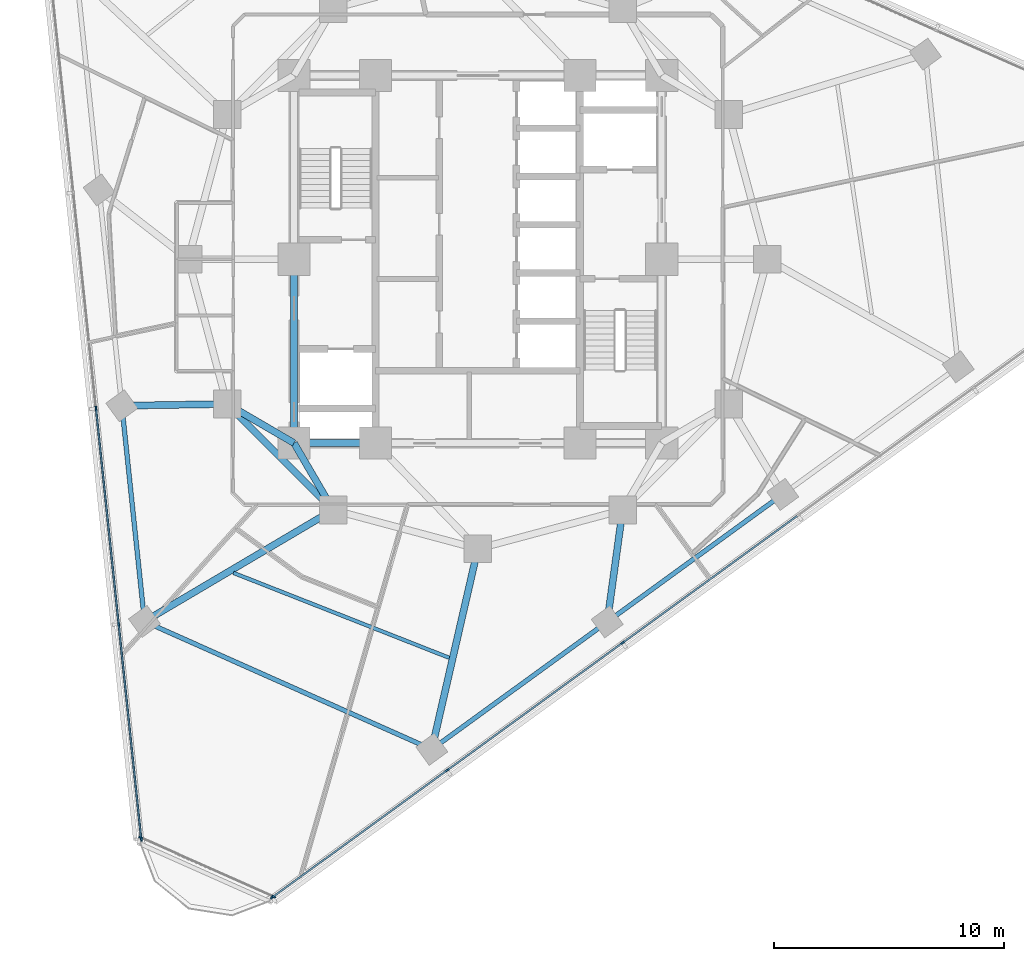
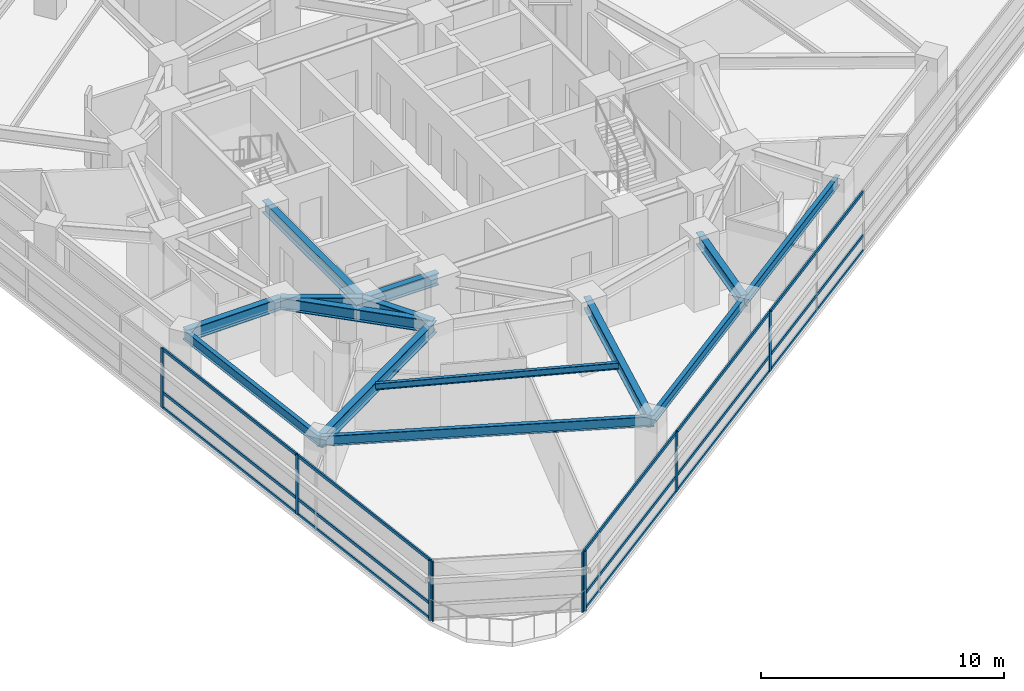
# One storey, part 2 of 14: 23 members, 14 beams, 3 elements without a shape of their own.
"""IFC4 building model written with IfcOpenShell, lengths in metres."""

from ifc_helpers import new_model, si_unit, direction, frame, origin, origin_2d, place, context, subcontext, project, spatial, rectangle, i_section, extrude, material, layer, layer_set, material_profile, profile_set, type_object, element, aggregate, save


model = new_model("IFC4")

# Units and contexts
model_context = context("Model", 3, precision=1e-05, world=origin(), true_north=direction((0.0, 1.0)))
body_context = subcontext(model_context, "Body", "Model", "MODEL_VIEW")
ifc_project = project(units=[si_unit("LENGTHUNIT", "METRE"), si_unit("AREAUNIT", "SQUARE_METRE"), si_unit("VOLUMEUNIT", "CUBIC_METRE"), si_unit("PLANEANGLEUNIT", "RADIAN"), si_unit("MASSUNIT", "GRAM", prefix="KILO")], contexts=[model_context])

# Site, building, storey
site_placement = place(None, origin())
site = spatial("IfcSite", under=ifc_project, at=site_placement, CompositionType="ELEMENT")
building_placement = place(site_placement, origin())
building = spatial("IfcBuilding", under=site, at=building_placement, Name="Terralouvre Media Tower", CompositionType="ELEMENT")
storey_placement = place(building_placement, frame((0.0, 0.0, 165.699951171875)))
storey = spatial("IfcBuildingStorey", under=building, at=storey_placement, Name="L42", CompositionType="ELEMENT", Elevation=165.699951171875)

# Beam
ifc_material_1 = material(Name="Structural steel S355J2", Category="steel")
ifc_material_profile_1 = material_profile(ifc_material_1, i_section(OverallWidth=0.159912109375, OverallDepth=0.330078125, WebThickness=0.007568359375, FlangeThickness=0.011474609375, at=origin_2d()), Name="IPE 330")
ifc_profile_set_1 = profile_set([ifc_material_profile_1], Name="Structural steel S355J2")
beam_type_1 = type_object("IfcBeamType", Name="Composite Floor Joist J-IPE330 (IPE 330)", PredefinedType="JOIST", material=ifc_profile_set_1)
beam_1_placement = place(storey_placement, frame((-10.638916015625, -13.648681640625, 3.3349609375), z_axis=(0.93055150024, -0.366161037525, 0.0), x_axis=(0.366161037525, 0.93055150024, 0.0)))
element("IfcBeam", 1, at=beam_1_placement, inside=storey, type_object=beam_type_1, Name="L42 Framing Beam JT-L42-01", PredefinedType="JOIST", context=body_context, shape_type="SweptSolid", body=[
    extrude(i_section(OverallWidth=0.159912109375, OverallDepth=0.330078125, WebThickness=0.007568359375, FlangeThickness=0.011474609375, at=origin_2d()), origin(), (0.0, 0.0, 1.0), 10.0966796875),
])

# Curtain wall, members
ifc_material_2 = material(Name="Low-iron laminated double glazing with solar-control coating", Category="glass")
ifc_layer_1 = layer(ifc_material_2, 0.1650390625, Name="Production Studio Tower Curtain Wall CW-03")
ifc_layer_set_1 = layer_set([ifc_layer_1], Name="Low-iron laminated double glazing with solar-control coating")
curtain_wall_type_1 = type_object("IfcCurtainWallType", Name="Production Studio Tower Curtain Wall CW-03", PredefinedType="NOTDEFINED", material=ifc_layer_set_1)
curtain_wall_1_placement = place(storey_placement, origin())
curtain_wall_1 = element("IfcCurtainWall", 2, at=curtain_wall_1_placement, inside=storey, type_object=curtain_wall_type_1, Name="L42 Facade Curtain Wall F0", PredefinedType="NOTDEFINED")
ifc_material_3 = material(Name="Anodised extruded aluminium 6063-T6", Category="aluminium")
ifc_material_profile_2 = material_profile(ifc_material_3, rectangle(XDim=0.074951171875, YDim=0.14990234375, at=origin_2d()), Name="ALU 75x150")
ifc_profile_set_2 = profile_set([ifc_material_profile_2], Name="Anodised extruded aluminium 6063-T6")
member_type_1 = type_object("IfcMemberType", Name="Curtain-Wall Horizontal Transom TR-150", PredefinedType="USERDEFINED", material=ifc_profile_set_2)
member_1_placement = place(storey_placement, frame((-8.9189453125, -27.7470703125, 0.03759765625), z_axis=(0.809025744282, 0.58777320889, 0.0), x_axis=(-0.58777320889, 0.809025744282, 0.0)))
member_1 = element("IfcMember", 3, at=member_1_placement, type_object=member_type_1, Name="CW-03 transom 1.1", ObjectType="TRANSOM", PredefinedType="USERDEFINED", context=body_context, shape_type="SweptSolid", body=[
    extrude(rectangle(XDim=0.074951171875, YDim=0.14990234375, at=origin_2d()), origin(), (0.0, 0.0, 1.0), 9.327392578125),
])
member_2_placement = place(storey_placement, frame((-8.9189453125, -27.7470703125, 0.800048828125), z_axis=(0.809025744282, 0.58777320889, 0.0), x_axis=(-0.58777320889, 0.809025744282, 0.0)))
member_2 = element("IfcMember", 4, at=member_2_placement, type_object=member_type_1, Name="CW-03 transom 1.2", ObjectType="TRANSOM", PredefinedType="USERDEFINED", context=body_context, shape_type="SweptSolid", body=[
    extrude(rectangle(XDim=0.074951171875, YDim=0.14990234375, at=origin_2d()), origin(), (0.0, 0.0, 1.0), 9.327392578125),
])
member_3_placement = place(storey_placement, frame((-8.9189453125, -27.7470703125, 2.962646484375), z_axis=(0.809025744282, 0.58777320889, 0.0), x_axis=(-0.58777320889, 0.809025744282, 0.0)))
member_3 = element("IfcMember", 5, at=member_3_placement, type_object=member_type_1, Name="CW-03 transom 1.3", ObjectType="TRANSOM", PredefinedType="USERDEFINED", context=body_context, shape_type="SweptSolid", body=[
    extrude(rectangle(XDim=0.074951171875, YDim=0.14990234375, at=origin_2d()), origin(), (0.0, 0.0, 1.0), 9.327392578125),
])
member_4_placement = place(storey_placement, frame((-1.312255859375, -22.220458984375, 0.03759765625), z_axis=(0.809014443998, 0.587788762569, 0.0), x_axis=(-0.587788762569, 0.809014443998, 0.0)))
member_4 = element("IfcMember", 6, at=member_4_placement, type_object=member_type_1, Name="CW-03 transom 2.1", ObjectType="TRANSOM", PredefinedType="USERDEFINED", context=body_context, shape_type="SweptSolid", body=[
    extrude(rectangle(XDim=0.074951171875, YDim=0.14990234375, at=origin_2d()), origin(), (0.0, 0.0, 1.0), 9.364990234375),
])
member_5_placement = place(storey_placement, frame((-1.312255859375, -22.220458984375, 0.800048828125), z_axis=(0.809014443998, 0.587788762569, 0.0), x_axis=(-0.587788762569, 0.809014443998, 0.0)))
member_5 = element("IfcMember", 7, at=member_5_placement, type_object=member_type_1, Name="CW-03 transom 2.2", ObjectType="TRANSOM", PredefinedType="USERDEFINED", context=body_context, shape_type="SweptSolid", body=[
    extrude(rectangle(XDim=0.074951171875, YDim=0.14990234375, at=origin_2d()), origin(), (0.0, 0.0, 1.0), 9.364990234375),
])
member_6_placement = place(storey_placement, frame((-1.312255859375, -22.220458984375, 2.962646484375), z_axis=(0.809014443998, 0.587788762569, 0.0), x_axis=(-0.587788762569, 0.809014443998, 0.0)))
member_6 = element("IfcMember", 8, at=member_6_placement, type_object=member_type_1, Name="CW-03 transom 2.3", ObjectType="TRANSOM", PredefinedType="USERDEFINED", context=body_context, shape_type="SweptSolid", body=[
    extrude(rectangle(XDim=0.074951171875, YDim=0.14990234375, at=origin_2d()), origin(), (0.0, 0.0, 1.0), 9.364990234375),
])
member_7_placement = place(storey_placement, frame((6.324951171875, -16.671875, 0.03759765625), z_axis=(0.809014443998, 0.587788762569, 0.0), x_axis=(-0.587788762569, 0.809014443998, 0.0)))
member_7 = element("IfcMember", 9, at=member_7_placement, type_object=member_type_1, Name="CW-03 transom 3.1", ObjectType="TRANSOM", PredefinedType="USERDEFINED", context=body_context, shape_type="SweptSolid", body=[
    extrude(rectangle(XDim=0.074951171875, YDim=0.14990234375, at=origin_2d()), origin(), (0.0, 0.0, 1.0), 9.364990234375),
])
member_8_placement = place(storey_placement, frame((6.324951171875, -16.671875, 0.800048828125), z_axis=(0.809014443998, 0.587788762569, 0.0), x_axis=(-0.587788762569, 0.809014443998, 0.0)))
member_8 = element("IfcMember", 10, at=member_8_placement, type_object=member_type_1, Name="CW-03 transom 3.2", ObjectType="TRANSOM", PredefinedType="USERDEFINED", context=body_context, shape_type="SweptSolid", body=[
    extrude(rectangle(XDim=0.074951171875, YDim=0.14990234375, at=origin_2d()), origin(), (0.0, 0.0, 1.0), 9.364990234375),
])
member_9_placement = place(storey_placement, frame((6.324951171875, -16.671875, 2.962646484375), z_axis=(0.809014443998, 0.587788762569, 0.0), x_axis=(-0.587788762569, 0.809014443998, 0.0)))
member_9 = element("IfcMember", 11, at=member_9_placement, type_object=member_type_1, Name="CW-03 transom 3.3", ObjectType="TRANSOM", PredefinedType="USERDEFINED", context=body_context, shape_type="SweptSolid", body=[
    extrude(rectangle(XDim=0.074951171875, YDim=0.14990234375, at=origin_2d()), origin(), (0.0, 0.0, 1.0), 9.364990234375),
])

curtain_wall_2_placement = place(storey_placement, origin())
curtain_wall_2 = element("IfcCurtainWall", 12, at=curtain_wall_2_placement, inside=storey, type_object=curtain_wall_type_1, Name="L42 Facade Curtain Wall F2", PredefinedType="NOTDEFINED")
member_10_placement = place(storey_placement, frame((-16.614013671875, -6.52978515625, 0.03759765625), z_axis=(0.104538223456, -0.994520869483, 0.0), x_axis=(0.994520869483, 0.104538223456, 0.0)))
member_10 = element("IfcMember", 13, at=member_10_placement, type_object=member_type_1, Name="CW-03 transom 4.1", ObjectType="TRANSOM", PredefinedType="USERDEFINED", context=body_context, shape_type="SweptSolid", body=[
    extrude(rectangle(XDim=0.074951171875, YDim=0.14990234375, at=origin_2d()), origin(), (0.0, 0.0, 1.0), 9.364990234375),
])
member_11_placement = place(storey_placement, frame((-16.614013671875, -6.52978515625, 0.800048828125), z_axis=(0.104538223456, -0.994520869483, 0.0), x_axis=(0.994520869483, 0.104538223456, 0.0)))
member_11 = element("IfcMember", 14, at=member_11_placement, type_object=member_type_1, Name="CW-03 transom 4.2", ObjectType="TRANSOM", PredefinedType="USERDEFINED", context=body_context, shape_type="SweptSolid", body=[
    extrude(rectangle(XDim=0.074951171875, YDim=0.14990234375, at=origin_2d()), origin(), (0.0, 0.0, 1.0), 9.364990234375),
])
member_12_placement = place(storey_placement, frame((-16.614013671875, -6.52978515625, 2.962646484375), z_axis=(0.104538223456, -0.994520869483, 0.0), x_axis=(0.994520869483, 0.104538223456, 0.0)))
member_12 = element("IfcMember", 15, at=member_12_placement, type_object=member_type_1, Name="CW-03 transom 4.3", ObjectType="TRANSOM", PredefinedType="USERDEFINED", context=body_context, shape_type="SweptSolid", body=[
    extrude(rectangle(XDim=0.074951171875, YDim=0.14990234375, at=origin_2d()), origin(), (0.0, 0.0, 1.0), 9.364990234375),
])
member_13_placement = place(storey_placement, frame((-15.627197265625, -15.918212890625, 0.03759765625), z_axis=(0.104540358364, -0.994520645071, 0.0), x_axis=(0.994520645071, 0.104540358364, 0.0)))
member_13 = element("IfcMember", 16, at=member_13_placement, type_object=member_type_1, Name="CW-03 transom 5.1", ObjectType="TRANSOM", PredefinedType="USERDEFINED", context=body_context, shape_type="SweptSolid", body=[
    extrude(rectangle(XDim=0.074951171875, YDim=0.14990234375, at=origin_2d()), origin(), (0.0, 0.0, 1.0), 9.327392578125),
])
member_14_placement = place(storey_placement, frame((-15.627197265625, -15.918212890625, 0.800048828125), z_axis=(0.104540358364, -0.994520645071, 0.0), x_axis=(0.994520645071, 0.104540358364, 0.0)))
member_14 = element("IfcMember", 17, at=member_14_placement, type_object=member_type_1, Name="CW-03 transom 5.2", ObjectType="TRANSOM", PredefinedType="USERDEFINED", context=body_context, shape_type="SweptSolid", body=[
    extrude(rectangle(XDim=0.074951171875, YDim=0.14990234375, at=origin_2d()), origin(), (0.0, 0.0, 1.0), 9.327392578125),
])
member_15_placement = place(storey_placement, frame((-15.627197265625, -15.918212890625, 2.962646484375), z_axis=(0.104540358364, -0.994520645071, 0.0), x_axis=(0.994520645071, 0.104540358364, 0.0)))
member_15 = element("IfcMember", 18, at=member_15_placement, type_object=member_type_1, Name="CW-03 transom 5.3", ObjectType="TRANSOM", PredefinedType="USERDEFINED", context=body_context, shape_type="SweptSolid", body=[
    extrude(rectangle(XDim=0.074951171875, YDim=0.14990234375, at=origin_2d()), origin(), (0.0, 0.0, 1.0), 9.327392578125),
])

# Member
ifc_material_4 = material(Name="Anodised extruded aluminium 6063-T6", Category="aluminium")
ifc_material_profile_3 = material_profile(ifc_material_4, rectangle(XDim=0.074951171875, YDim=0.179931640625, at=origin_2d()), Name="ALU 75x180")
ifc_profile_set_3 = profile_set([ifc_material_profile_3], Name="Anodised extruded aluminium 6063-T6")
member_type_2 = type_object("IfcMemberType", Name="Curtain-Wall Vertical Mullion ML-180", PredefinedType="MULLION", material=ifc_profile_set_3)
member_16_placement = place(storey_placement, frame((-8.949462890625, -27.769287109375, 0.0), z_axis=(0.0, 0.0, 1.0), x_axis=(-0.587785358263, 0.809016917383, 0.0)))
member_16 = element("IfcMember", 19, at=member_16_placement, type_object=member_type_2, Name="CW-03 mullion 1", PredefinedType="MULLION", context=body_context, shape_type="SweptSolid", body=[
    extrude(rectangle(XDim=0.074951171875, YDim=0.179931640625, at=origin_2d()), origin(), (0.0, 0.0, 1.0), 3.0),
])

member_17_placement = place(storey_placement, frame((-1.342529296875, -22.24267578125, 0.0), z_axis=(0.0, 0.0, 1.0), x_axis=(-0.587785358263, 0.809016917383, 0.0)))
member_17 = element("IfcMember", 20, at=member_17_placement, type_object=member_type_2, Name="CW-03 mullion 2", PredefinedType="MULLION", context=body_context, shape_type="SweptSolid", body=[
    extrude(rectangle(XDim=0.074951171875, YDim=0.179931640625, at=origin_2d()), origin(), (0.0, 0.0, 1.0), 3.0),
])

member_18_placement = place(storey_placement, frame((6.294677734375, -16.69384765625, 0.0), z_axis=(0.0, 0.0, 1.0), x_axis=(-0.587785358263, 0.809016917383, 0.0)))
member_18 = element("IfcMember", 21, at=member_18_placement, type_object=member_type_2, Name="CW-03 mullion 3", PredefinedType="MULLION", context=body_context, shape_type="SweptSolid", body=[
    extrude(rectangle(XDim=0.074951171875, YDim=0.179931640625, at=origin_2d()), origin(), (0.0, 0.0, 1.0), 3.0),
])

aggregate(curtain_wall_1, [member_16, member_17, member_18, member_1, member_2, member_3, member_4, member_5, member_6, member_7, member_8, member_9])

member_19_placement = place(storey_placement, frame((-16.617919921875, -6.49267578125, 0.0), z_axis=(0.0, 0.0, 1.0), x_axis=(0.994521904516, 0.104528376236, 0.0)))
member_19 = element("IfcMember", 22, at=member_19_placement, type_object=member_type_2, Name="CW-03 mullion 4", PredefinedType="MULLION", context=body_context, shape_type="SweptSolid", body=[
    extrude(rectangle(XDim=0.074951171875, YDim=0.179931640625, at=origin_2d()), origin(), (0.0, 0.0, 1.0), 3.0),
])

member_20_placement = place(storey_placement, frame((-15.631103515625, -15.880859375, 0.0), z_axis=(0.0, 0.0, 1.0), x_axis=(0.994521904516, 0.104528376236, 0.0)))
member_20 = element("IfcMember", 23, at=member_20_placement, type_object=member_type_2, Name="CW-03 mullion 5", PredefinedType="MULLION", context=body_context, shape_type="SweptSolid", body=[
    extrude(rectangle(XDim=0.074951171875, YDim=0.179931640625, at=origin_2d()), origin(), (0.0, 0.0, 1.0), 3.0),
])

member_21_placement = place(storey_placement, frame((-14.648193359375, -25.23193359375, 0.0), z_axis=(0.0, 0.0, 1.0), x_axis=(0.994521904516, 0.104528376236, 0.0)))
member_21 = element("IfcMember", 24, at=member_21_placement, type_object=member_type_2, Name="CW-03 mullion 6", PredefinedType="MULLION", context=body_context, shape_type="SweptSolid", body=[
    extrude(rectangle(XDim=0.074951171875, YDim=0.179931640625, at=origin_2d()), origin(), (0.0, 0.0, 1.0), 3.0),
])

aggregate(curtain_wall_2, [member_19, member_20, member_21, member_10, member_11, member_12, member_13, member_14, member_15])

# Curtain wall, members
ifc_material_5 = material(Name="Low-iron laminated double glazing with solar-control coating", Category="glass")
ifc_layer_2 = layer(ifc_material_5, 0.1650390625, Name="Rounded Wind-Corner Curved Glazing CW-04")
ifc_layer_set_2 = layer_set([ifc_layer_2], Name="Low-iron laminated double glazing with solar-control coating")
curtain_wall_type_2 = type_object("IfcCurtainWallType", Name="Rounded Wind-Corner Curved Glazing CW-04", PredefinedType="NOTDEFINED", material=ifc_layer_set_2)
curtain_wall_3_placement = place(storey_placement, origin())
curtain_wall_3 = element("IfcCurtainWall", 25, at=curtain_wall_3_placement, inside=storey, type_object=curtain_wall_type_2, Name="L42 Rounded Wind-Corner Curtain Wall C0", PredefinedType="NOTDEFINED")
member_22_placement = place(storey_placement, frame((-14.67236328125, -25.169189453125, 0.0), z_axis=(0.0, 0.0, 1.0), x_axis=(0.406736754128, 0.913545408199, 0.0)))
member_22 = element("IfcMember", 26, at=member_22_placement, type_object=member_type_2, Name="CW-04 mullion 1", PredefinedType="MULLION", context=body_context, shape_type="SweptSolid", body=[
    extrude(rectangle(XDim=0.074951171875, YDim=0.179931640625, at=origin_2d()), origin(), (0.0, 0.0, 1.0), 3.0),
])
member_23_placement = place(storey_placement, frame((-8.886474609375, -27.7451171875, 0.0), z_axis=(0.0, 0.0, 1.0), x_axis=(0.406736754128, 0.913545408199, 0.0)))
member_23 = element("IfcMember", 27, at=member_23_placement, type_object=member_type_2, Name="CW-04 mullion 2", PredefinedType="MULLION", context=body_context, shape_type="SweptSolid", body=[
    extrude(rectangle(XDim=0.074951171875, YDim=0.179931640625, at=origin_2d()), origin(), (0.0, 0.0, 1.0), 3.0),
])
aggregate(curtain_wall_3, [member_22, member_23])

# Beams
ifc_material_6 = material(Name="Structural steel S355J2", Category="steel")
ifc_material_profile_4 = material_profile(ifc_material_6, i_section(OverallWidth=0.199951171875, OverallDepth=0.5, WebThickness=0.01025390625, FlangeThickness=0.01611328125, at=origin_2d()), Name="IPE 500")
ifc_profile_set_4 = profile_set([ifc_material_profile_4], Name="Structural steel S355J2")
beam_type_2 = type_object("IfcBeamType", Name="Perimeter Spandrel Beam SPB-500 (IPE 500)", PredefinedType="SPANDREL", material=ifc_profile_set_4)
beam_2_placement = place(storey_placement, frame((-15.494140625, -6.37451171875, 3.25), z_axis=(0.10453669331, -0.994521030321, 0.0), x_axis=(0.994521030321, 0.10453669331, 0.0)))
element("IfcBeam", 28, at=beam_2_placement, inside=storey, type_object=beam_type_2, Name="L42 Framing Beam BM-L42-PR01", PredefinedType="SPANDREL", context=body_context, shape_type="SweptSolid", body=[
    extrude(i_section(OverallWidth=0.199951171875, OverallDepth=0.5, WebThickness=0.01025390625, FlangeThickness=0.01611328125, at=origin_2d()), origin(), (0.0, 0.0, 1.0), 9.43994140625),
])
beam_3_placement = place(storey_placement, frame((-14.50732421875, -15.7626953125, 3.25), z_axis=(0.913542800127, -0.4067426119, 0.0), x_axis=(0.4067426119, 0.913542800127, 0.0)))
element("IfcBeam", 29, at=beam_3_placement, inside=storey, type_object=beam_type_2, Name="L42 Framing Beam BM-L42-PR02", PredefinedType="SPANDREL", context=body_context, shape_type="SweptSolid", body=[
    extrude(i_section(OverallWidth=0.199951171875, OverallDepth=0.5, WebThickness=0.01025390625, FlangeThickness=0.01611328125, at=origin_2d()), origin(), (0.0, 0.0, 1.0), 13.68359375),
])
beam_4_placement = place(storey_placement, frame((-2.0068359375, -21.328369140625, 3.25), z_axis=(0.809025644413, 0.587773346352, 0.0), x_axis=(-0.587773346352, 0.809025644413, 0.0)))
element("IfcBeam", 30, at=beam_4_placement, inside=storey, type_object=beam_type_2, Name="L42 Framing Beam BM-L42-PR03", PredefinedType="SPANDREL", context=body_context, shape_type="SweptSolid", body=[
    extrude(i_section(OverallWidth=0.199951171875, OverallDepth=0.5, WebThickness=0.01025390625, FlangeThickness=0.01611328125, at=origin_2d()), origin(), (0.0, 0.0, 1.0), 9.43994140625),
])
beam_5_placement = place(storey_placement, frame((5.63037109375, -15.77978515625, 3.25), z_axis=(0.809013346268, 0.587790273448, 0.0), x_axis=(-0.587790273448, 0.809013346268, 0.0)))
element("IfcBeam", 31, at=beam_5_placement, inside=storey, type_object=beam_type_2, Name="L42 Framing Beam BM-L42-PR04", PredefinedType="SPANDREL", context=body_context, shape_type="SweptSolid", body=[
    extrude(i_section(OverallWidth=0.199951171875, OverallDepth=0.5, WebThickness=0.01025390625, FlangeThickness=0.01611328125, at=origin_2d()), origin(), (0.0, 0.0, 1.0), 9.440185546875),
])
ifc_material_7 = material(Name="Structural steel S460M", Category="steel")
ifc_material_profile_5 = material_profile(ifc_material_7, i_section(OverallWidth=0.300048828125, OverallDepth=0.60009765625, WebThickness=0.015380859375, FlangeThickness=0.030029296875, at=origin_2d()), Name="HEB 600")
ifc_profile_set_5 = profile_set([ifc_material_profile_5], Name="Structural steel S460M")
beam_type_3 = type_object("IfcBeamType", Name="Primary Floor Girder B-HEB600 (HEB 600)", PredefinedType="BEAM", material=ifc_profile_set_5)
beam_6_placement = place(storey_placement, frame((-8.0, -8.0, 3.199951171875), z_axis=(1.0, 0.0, 0.0), x_axis=(0.0, 1.0, 0.0)))
element("IfcBeam", 32, at=beam_6_placement, inside=storey, type_object=beam_type_3, Name="L42 Framing Beam BM-L42-CPR01", PredefinedType="BEAM", context=body_context, shape_type="SweptSolid", body=[
    extrude(i_section(OverallWidth=0.300048828125, OverallDepth=0.60009765625, WebThickness=0.015380859375, FlangeThickness=0.030029296875, at=origin_2d()), origin(), (0.0, 0.0, 1.0), 3.550048828125),
])
beam_7_placement = place(storey_placement, frame((-8.0, 0.0, 3.199951171875), z_axis=(0.0, -1.0, 0.0), x_axis=(1.0, 0.0, 0.0)))
element("IfcBeam", 33, at=beam_7_placement, inside=storey, type_object=beam_type_3, Name="L42 Framing Beam BM-L42-CPR10", PredefinedType="BEAM", context=body_context, shape_type="SweptSolid", body=[
    extrude(i_section(OverallWidth=0.300048828125, OverallDepth=0.60009765625, WebThickness=0.015380859375, FlangeThickness=0.030029296875, at=origin_2d()), origin(), (0.0, 0.0, 1.0), 8.0),
])
beam_8_placement = place(storey_placement, frame((-10.911865234375, -6.300048828125, 3.199951171875), z_axis=(0.707106781187, -0.707106781187, 0.0), x_axis=(0.707106781187, 0.707106781187, 0.0)))
element("IfcBeam", 34, at=beam_8_placement, inside=storey, type_object=beam_type_3, Name="L42 Framing Beam BM-L42-MR01", PredefinedType="BEAM", context=body_context, shape_type="SweptSolid", body=[
    extrude(i_section(OverallWidth=0.300048828125, OverallDepth=0.60009765625, WebThickness=0.015380859375, FlangeThickness=0.030029296875, at=origin_2d()), origin(), (0.0, 0.0, 1.0), 6.52197265625),
])
for number, where, z_axis, x_axis, name in (
    (35, (-8.0, -8.0, 3.199951171875), (-0.863602894532, 0.504172629717, 0.0), (-0.504172629717, -0.863602894532, 0.0), "L42 Framing Beam BM-L42-CM01"),
    (36, (-8.0, -8.0, 3.199951171875), (0.504172629717, -0.863602894532, 0.0), (0.863602894532, 0.504172629717, 0.0), "L42 Framing Beam BM-L42-CM02"),
):
    element("IfcBeam", number, at=place(storey_placement, frame(where, z_axis=z_axis, x_axis=x_axis)), inside=storey, type_object=beam_type_3, Name=name, PredefinedType="BEAM", context=body_context, shape_type="SweptSolid", body=[
        extrude(i_section(OverallWidth=0.300048828125, OverallDepth=0.60009765625, WebThickness=0.015380859375, FlangeThickness=0.030029296875, at=origin_2d()), origin(), (0.0, 0.0, 1.0), 3.371826171875),
    ])
beam_9_placement = place(storey_placement, frame((-10.911865234375, -6.300048828125, 3.199951171875), z_axis=(-0.999867991647, -0.016248054635, 0.0), x_axis=(0.016248054635, -0.999867991647, 0.0)))
element("IfcBeam", 37, at=beam_9_placement, inside=storey, type_object=beam_type_3, Name="L42 Framing Beam BM-L42-RD01", PredefinedType="BEAM", context=body_context, shape_type="SweptSolid", body=[
    extrude(i_section(OverallWidth=0.300048828125, OverallDepth=0.60009765625, WebThickness=0.015380859375, FlangeThickness=0.030029296875, at=origin_2d()), origin(), (0.0, 0.0, 1.0), 4.582763671875),
])
beam_10_placement = place(storey_placement, frame((-6.300048828125, -10.911865234375, 3.199951171875), z_axis=(-0.86087707212, -0.508812997768, 0.0), x_axis=(0.508812997768, -0.86087707212, 0.0)))
element("IfcBeam", 38, at=beam_10_placement, inside=storey, type_object=beam_type_3, Name="L42 Framing Beam BM-L42-RD02", PredefinedType="BEAM", context=body_context, shape_type="SweptSolid", body=[
    extrude(i_section(OverallWidth=0.300048828125, OverallDepth=0.60009765625, WebThickness=0.015380859375, FlangeThickness=0.030029296875, at=origin_2d()), origin(), (0.0, 0.0, 1.0), 9.53369140625),
])
beam_11_placement = place(storey_placement, frame((0.0, -12.60009765625, 3.199951171875), z_axis=(-0.224077011605, -0.974571440619, 0.0), x_axis=(0.974571440619, -0.224077011605, 0.0)))
element("IfcBeam", 39, at=beam_11_placement, inside=storey, type_object=beam_type_3, Name="L42 Framing Beam BM-L42-RD03", PredefinedType="BEAM", context=body_context, shape_type="SweptSolid", body=[
    extrude(i_section(OverallWidth=0.300048828125, OverallDepth=0.60009765625, WebThickness=0.015380859375, FlangeThickness=0.030029296875, at=origin_2d()), origin(), (0.0, 0.0, 1.0), 8.9560546875),
])
beam_12_placement = place(storey_placement, frame((6.300048828125, -10.911865234375, 3.199951171875), z_axis=(-0.136285998947, -0.990669534452, 0.0), x_axis=(0.990669534452, -0.136285998947, 0.0)))
element("IfcBeam", 40, at=beam_12_placement, inside=storey, type_object=beam_type_3, Name="L42 Framing Beam BM-L42-RD04", PredefinedType="BEAM", context=body_context, shape_type="SweptSolid", body=[
    extrude(i_section(OverallWidth=0.300048828125, OverallDepth=0.60009765625, WebThickness=0.015380859375, FlangeThickness=0.030029296875, at=origin_2d()), origin(), (0.0, 0.0, 1.0), 4.913818359375),
])

save(model, "model.ifc")
